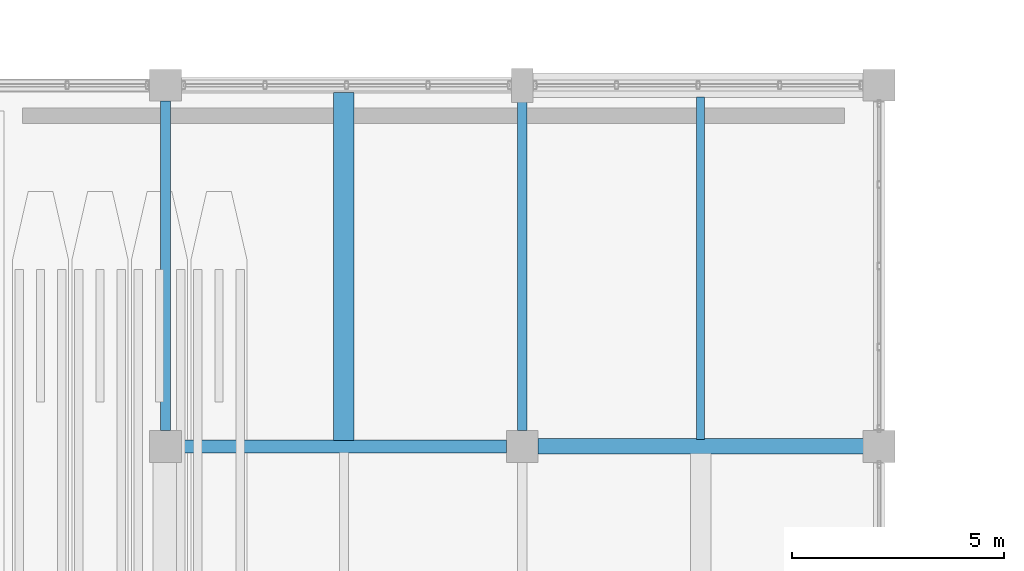
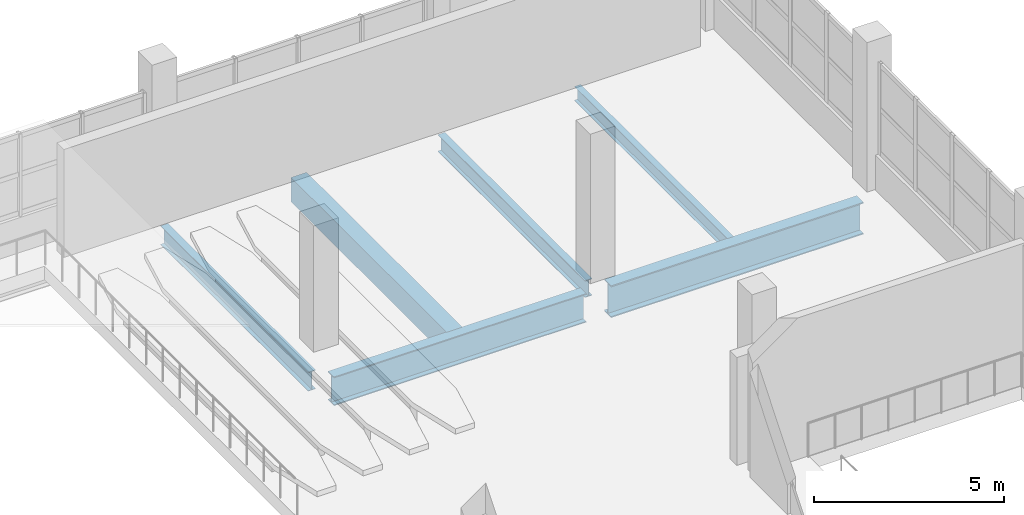
# One storey, part 45 of 77: 6 beams.
"""IFC4 building model written with IfcOpenShell, lengths in metres."""

from ifc_helpers import new_model, si_unit, direction, frame, origin, origin_2d, place, context, subcontext, project, spatial, rectangle, i_section, extrude, material, material_profile, profile_set, type_object, element, save


model = new_model("IFC4")

# Units and contexts
model_context = context("Model", 3, precision=1e-05, world=origin(), true_north=direction((0.0, 1.0)))
body_context = subcontext(model_context, "Body", "Model", "MODEL_VIEW")
ifc_project = project(units=[si_unit("LENGTHUNIT", "METRE"), si_unit("AREAUNIT", "SQUARE_METRE"), si_unit("VOLUMEUNIT", "CUBIC_METRE"), si_unit("PLANEANGLEUNIT", "RADIAN"), si_unit("MASSUNIT", "GRAM", prefix="KILO")], contexts=[model_context])

# Site, building, storey
site_placement = place(None, origin())
site = spatial("IfcSite", under=ifc_project, at=site_placement, CompositionType="ELEMENT")
building_placement = place(site_placement, origin())
building = spatial("IfcBuilding", under=site, at=building_placement, Name="Solvento Point Concert Hall", CompositionType="ELEMENT")
storey_placement = place(building_placement, frame((0.0, 0.0, 10.199951171875)))
storey = spatial("IfcBuildingStorey", under=building, at=storey_placement, Name="L02", CompositionType="ELEMENT", Elevation=10.199951171875)

# Beams
ifc_material_1 = material(Name="Concrete C35/45", Category="concrete")
ifc_material_profile_1 = material_profile(ifc_material_1, rectangle(XDim=0.47998046875, YDim=0.780029296875, at=origin_2d()), Name="RC-BM-480X780")
ifc_profile_set_1 = profile_set([ifc_material_profile_1], Name="Concrete C35/45")
beam_type_1 = type_object("IfcBeamType", Name="Beam_RC_480x780", PredefinedType="BEAM", material=ifc_profile_set_1)
beam_1_placement = place(storey_placement, frame((196.199951171875, 17.138671875, -0.833984375), z_axis=(0.0, 1.0, 0.0), x_axis=(-1.0, 0.0, 0.0)))
element("IfcBeam", 1, at=beam_1_placement, inside=storey, type_object=beam_type_1, Name="Secondary floor joist B-74 L02", PredefinedType="BEAM", context=body_context, shape_type="SweptSolid", body=[
    extrude(rectangle(XDim=0.47998046875, YDim=0.780029296875, at=origin_2d()), origin(), (0.0, 0.0, 1.0), 8.19580078125),
])
ifc_material_2 = material(Name="Structural Steel ASTM A992 Grade 50", Category="steel")
ifc_material_profile_2 = material_profile(ifc_material_2, i_section(OverallWidth=0.214111328125, OverallDepth=0.549072265625, WebThickness=0.0146484375, FlangeThickness=0.023681640625, at=origin_2d()), Name="W21X93")
ifc_profile_set_2 = profile_set([ifc_material_profile_2], Name="Structural Steel ASTM A992 Grade 50")
beam_type_2 = type_object("IfcBeamType", Name="Beam_W21X93", PredefinedType="BEAM", material=ifc_profile_set_2)
beam_2_placement = place(storey_placement, frame((200.39990234375, 17.368896484375, -0.718505859375), z_axis=(0.0, 1.0, 0.0), x_axis=(-1.0, 0.0, 0.0)))
element("IfcBeam", 2, at=beam_2_placement, inside=storey, type_object=beam_type_2, Name="Primary girder B-48 L02", PredefinedType="BEAM", context=body_context, shape_type="SweptSolid", body=[
    extrude(i_section(OverallWidth=0.214111328125, OverallDepth=0.549072265625, WebThickness=0.0146484375, FlangeThickness=0.023681640625, at=origin_2d()), origin(), (0.0, 0.0, 1.0), 7.737060546875),
])
ifc_material_3 = material(Name="Structural Steel ASTM A992 Grade 50", Category="steel")
ifc_material_profile_3 = material_profile(ifc_material_3, i_section(OverallWidth=0.228515625, OverallDepth=0.60791015625, WebThickness=0.01123046875, FlangeThickness=0.017333984375, at=origin_2d()), Name="W24X76")
ifc_profile_set_3 = profile_set([ifc_material_profile_3], Name="Structural Steel ASTM A992 Grade 50")
beam_type_3 = type_object("IfcBeamType", Name="Beam_W24X76", PredefinedType="BEAM", material=ifc_profile_set_3)
beam_3_placement = place(storey_placement, frame((192.0, 17.368896484375, -0.748046875), z_axis=(0.0, 1.0, 0.0), x_axis=(-1.0, 0.0, 0.0)))
element("IfcBeam", 3, at=beam_3_placement, inside=storey, type_object=beam_type_3, Name="Primary girder B-42 L02", PredefinedType="BEAM", context=body_context, shape_type="SweptSolid", body=[
    extrude(i_section(OverallWidth=0.228515625, OverallDepth=0.60791015625, WebThickness=0.01123046875, FlangeThickness=0.017333984375, at=origin_2d()), origin(), (0.0, 0.0, 1.0), 7.76220703125),
])
ifc_material_4 = material(Name="Structural Steel ASTM A992 Grade 50", Category="steel")
ifc_material_profile_4 = material_profile(ifc_material_4, i_section(OverallWidth=0.3076171875, OverallDepth=0.927001953125, WebThickness=0.019287109375, FlangeThickness=0.031982421875, at=origin_2d()), Name="W36X194")
ifc_profile_set_4 = profile_set([ifc_material_profile_4], Name="Structural Steel ASTM A992 Grade 50")
beam_type_4 = type_object("IfcBeamType", Name="Girder_W36X194", PredefinedType="USERDEFINED", material=ifc_profile_set_4)
beam_4_placement = place(storey_placement, frame((192.368896484375, 17.0, -0.907470703125), z_axis=(1.0, 0.0, 0.0), x_axis=(0.0, 1.0, 0.0)))
element("IfcBeam", 4, at=beam_4_placement, inside=storey, type_object=beam_type_4, Name="Primary girder B-61 L02", ObjectType="GIRDER", PredefinedType="USERDEFINED", context=body_context, shape_type="SweptSolid", body=[
    extrude(i_section(OverallWidth=0.3076171875, OverallDepth=0.927001953125, WebThickness=0.019287109375, FlangeThickness=0.031982421875, at=origin_2d()), origin(), (0.0, 0.0, 1.0), 7.662109375),
])
ifc_material_5 = material(Name="Structural Steel ASTM A992 Grade 50", Category="steel")
ifc_material_profile_5 = material_profile(ifc_material_5, i_section(OverallWidth=0.361083984375, OverallDepth=1.02587890625, WebThickness=0.01904296875, FlangeThickness=0.0361328125, at=origin_2d()), Name="W40X249")
ifc_profile_set_5 = profile_set([ifc_material_profile_5], Name="Structural Steel ASTM A992 Grade 50")
beam_type_5 = type_object("IfcBeamType", Name="Girder_W40X249", PredefinedType="USERDEFINED", material=ifc_profile_set_5)
beam_5_placement = place(storey_placement, frame((200.76904296875, 17.0, -0.95703125), z_axis=(1.0, 0.0, 0.0), x_axis=(0.0, 1.0, 0.0)))
element("IfcBeam", 5, at=beam_5_placement, inside=storey, type_object=beam_type_5, Name="Primary girder B-29 L02", ObjectType="GIRDER", PredefinedType="USERDEFINED", context=body_context, shape_type="SweptSolid", body=[
    extrude(i_section(OverallWidth=0.361083984375, OverallDepth=1.02587890625, WebThickness=0.01904296875, FlangeThickness=0.0361328125, at=origin_2d()), origin(), (0.0, 0.0, 1.0), 7.661865234375),
])
ifc_material_6 = material(Name="Structural Steel ASTM A992 Grade 50", Category="steel")
ifc_material_profile_6 = material_profile(ifc_material_6, i_section(OverallWidth=0.1904296875, OverallDepth=0.45703125, WebThickness=0.009033203125, FlangeThickness=0.014404296875, at=origin_2d()), Name="W18X50")
ifc_profile_set_6 = profile_set([ifc_material_profile_6], Name="Structural Steel ASTM A992 Grade 50")
beam_type_6 = type_object("IfcBeamType", Name="Joist_W18X50", PredefinedType="JOIST", material=ifc_profile_set_6)
beam_6_placement = place(storey_placement, frame((204.60009765625, 17.16552734375, -0.67236328125), z_axis=(0.0, 1.0, 0.0), x_axis=(-1.0, 0.0, 0.0)))
element("IfcBeam", 6, at=beam_6_placement, inside=storey, type_object=beam_type_6, Name="Secondary floor joist B-66 L02", PredefinedType="JOIST", context=body_context, shape_type="SweptSolid", body=[
    extrude(i_section(OverallWidth=0.1904296875, OverallDepth=0.45703125, WebThickness=0.009033203125, FlangeThickness=0.014404296875, at=origin_2d()), origin(), (0.0, 0.0, 1.0), 8.0595703125),
])

save(model, "model.ifc")
